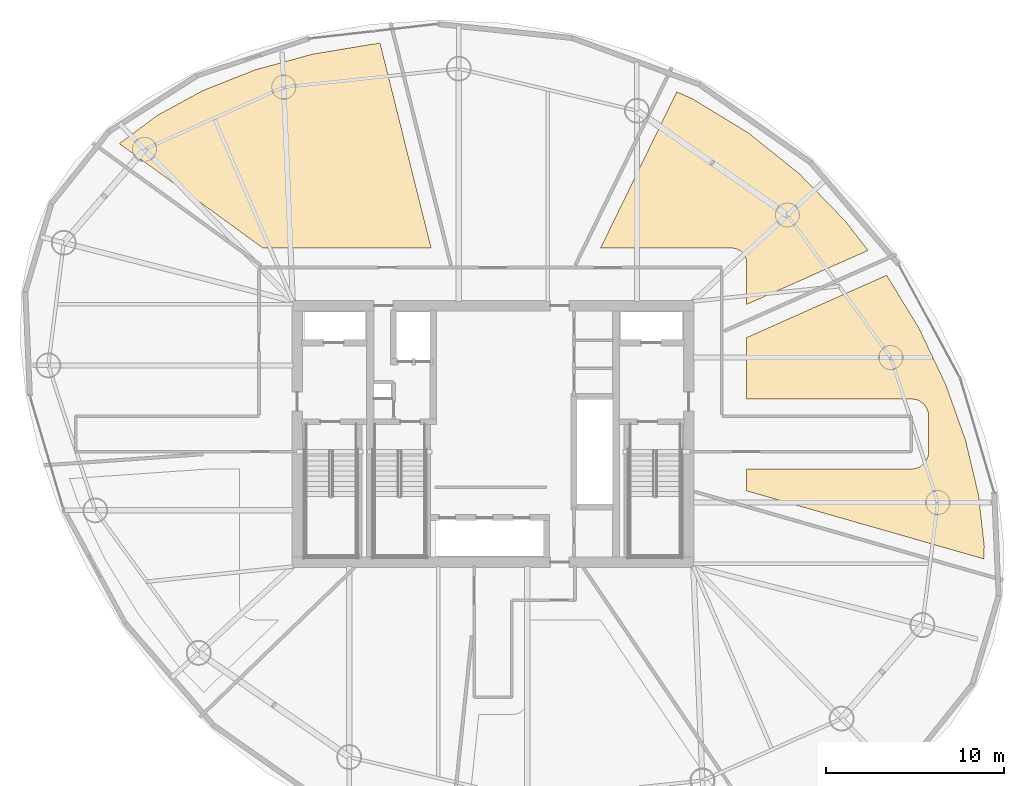
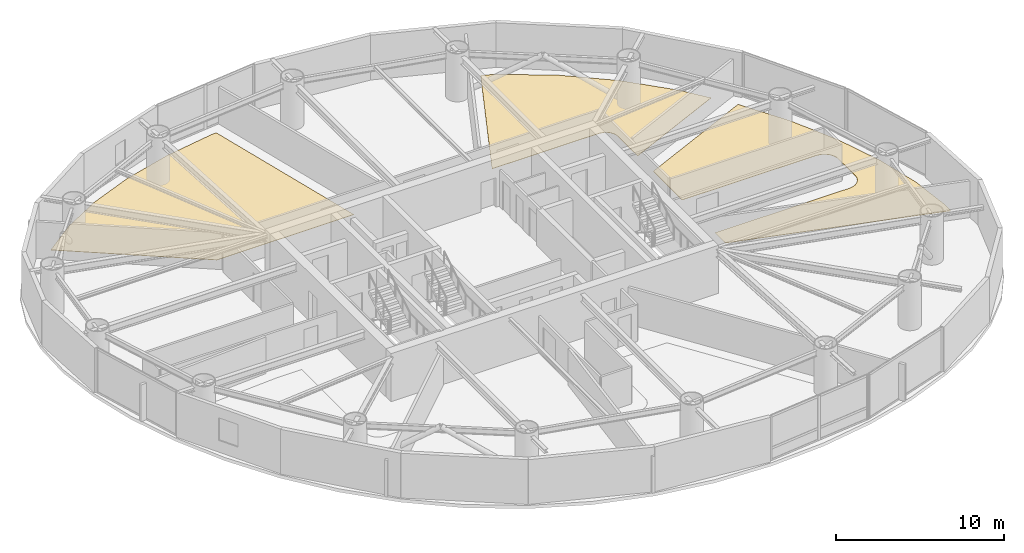
# One storey, part 22 of 22: 3 coverings.
"""IFC4 building model written with IfcOpenShell, lengths in metres."""

from ifc_helpers import new_model, si_unit, direction, frame, origin, place, context, subcontext, project, spatial, polyline, outline, extrude, material, layer, layer_set, type_object, element, save


model = new_model("IFC4")

# Units and contexts
model_context = context("Model", 3, precision=1e-05, world=origin(), true_north=direction((0.0, 1.0)))
body_context = subcontext(model_context, "Body", "Model", "MODEL_VIEW")
ifc_project = project(units=[si_unit("LENGTHUNIT", "METRE"), si_unit("AREAUNIT", "SQUARE_METRE"), si_unit("VOLUMEUNIT", "CUBIC_METRE"), si_unit("PLANEANGLEUNIT", "RADIAN"), si_unit("MASSUNIT", "GRAM", prefix="KILO")], contexts=[model_context])

# Site, building, storey
site_placement = place(None, origin())
site = spatial("IfcSite", under=ifc_project, at=site_placement, CompositionType="ELEMENT")
building_placement = place(site_placement, origin())
building = spatial("IfcBuilding", under=site, at=building_placement, Name="Bramvorn Convention Spire", CompositionType="ELEMENT")
storey_placement = place(building_placement, frame((0.0, 0.0, 141.300048828125)))
storey = spatial("IfcBuildingStorey", under=building, at=storey_placement, Name="L35", CompositionType="ELEMENT", Elevation=141.300048828125)

# Coverings
ifc_material = material(Name="Honed Dolomitic Limestone Terrazzo Flooring", Category="masonry")
ifc_layer = layer(ifc_material, 0.02490234375)
ifc_layer_set = layer_set([ifc_layer], Name="Honed Dolomitic Limestone Terrazzo Flooring - FLR-TERRAZZO-25")
covering_type = type_object("IfcCoveringType", Name="FLR-TERRAZZO-25", PredefinedType="FLOORING", material=ifc_layer_set)
covering_1_placement = place(storey_placement, origin())
element("IfcCovering", 1, at=covering_1_placement, inside=storey, type_object=covering_type, Name="L35 Executive Dining Salon 1 1 raised floor finish", PredefinedType="FLOORING", context=body_context, shape_type="SweptSolid", body=[
    extrude(outline(polyline([(49.179931640625, 44.836181640625), (48.31787109375, 45.2158203125), (44.04248046875, 36.449951171875), (51.39990234375, 36.449951171875), (51.725341796875, 36.38525390625), (51.872314453125, 36.306640625), (52.05712890625, 36.13916015625), (52.185302734375, 35.92529296875), (52.233642578125, 35.765869140625), (52.25, 33.27490234375), (59.060302734375, 36.30712890625), (57.805908203125, 37.939453125), (55.228515625, 40.59375), (52.3408203125, 42.912109375), (49.179931640625, 44.836181640625)])), origin(), (0.0, 0.0, 1.0), 0.02490234375),
])
covering_2_placement = place(storey_placement, origin())
element("IfcCovering", 2, at=covering_2_placement, inside=storey, type_object=covering_type, Name="L35 Butler Catering Kitchen 3 raised floor finish", PredefinedType="FLOORING", context=body_context, shape_type="SweptSolid", body=[
    extrude(outline(polyline([(17.00439453125, 42.3046875), (25.06298828125, 36.449951171875), (34.5185546875, 36.449951171875), (31.656005859375, 47.931396484375), (31.31298828125, 47.909912109375), (27.859130859375, 47.33447265625), (24.6376953125, 46.451171875), (21.720703125, 45.299560546875), (19.16650390625, 43.913330078125), (17.00439453125, 42.3046875)])), origin(), (0.0, 0.0, 1.0), 0.02490234375),
])
covering_3_placement = place(storey_placement, origin())
element("IfcCovering", 3, at=covering_3_placement, inside=storey, type_object=covering_type, Name="L35 Executive Dining Salon 2 9 raised floor finish", PredefinedType="FLOORING", context=body_context, shape_type="SweptSolid", body=[
    extrude(outline(polyline([(52.25, 31.4140625), (52.25, 27.969970703125), (61.5, 27.969970703125), (61.8212890625, 27.9150390625), (62.072998046875, 27.782470703125), (62.22265625, 27.64697265625), (62.37939453125, 27.4091796875), (62.45849609375, 27.148193359375), (62.468994140625, 24.958251953125), (62.439453125, 24.758544921875), (62.328857421875, 24.496337890625), (62.15576171875, 24.285400390625), (61.99365234375, 24.1650390625), (61.741455078125, 24.060546875), (61.541748046875, 24.031005859375), (52.25, 24.030029296875), (52.25, 22.798095703125), (65.573974609375, 18.9775390625), (65.59521484375, 19.69287109375), (65.2705078125, 22.58056640625), (64.5458984375, 25.6318359375), (63.427490234375, 28.779541015625), (61.92333984375, 31.94140625), (60.1123046875, 34.91455078125), (52.25, 31.4140625)])), origin(), (0.0, 0.0, 1.0), 0.02490234375),
])

save(model, "model.ifc")
